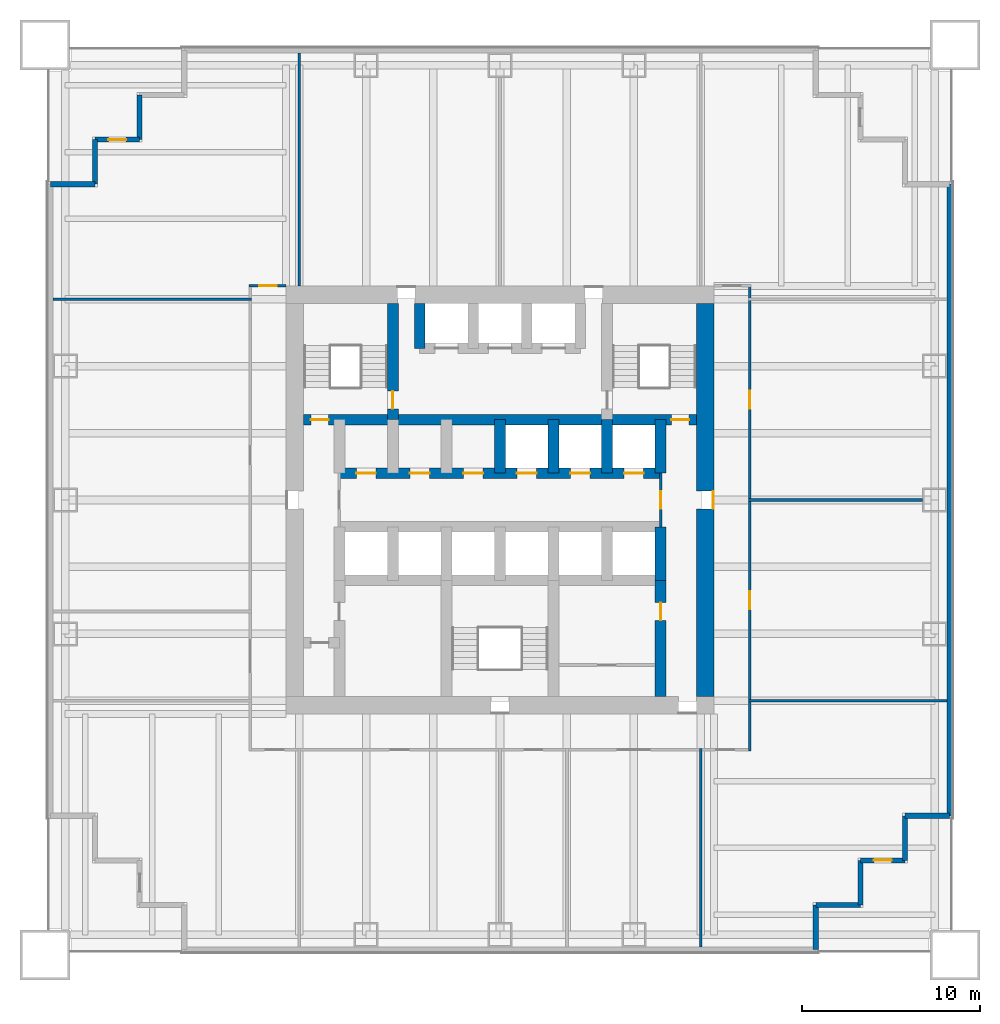
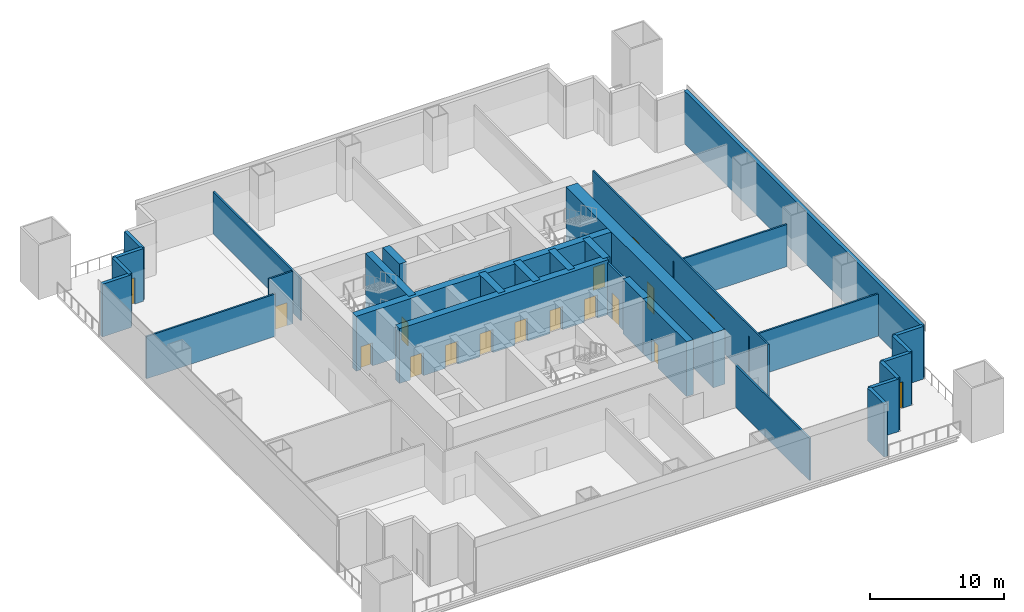
# One storey, part 3 of 6: 30 walls, 17 doors, 17 openings.
"""IFC4 building model written with IfcOpenShell, lengths in metres."""

from ifc_helpers import new_model, si_unit, direction, frame, frame_2d, origin, place, context, subcontext, project, spatial, rectangle, extrude, material, layer, layer_set, type_object, element, fill, save


model = new_model("IFC4")

# Units and contexts
model_context = context("Model", 3, precision=1e-05, world=origin(), true_north=direction((0.0, 1.0)))
body_context = subcontext(model_context, "Body", "Model", "MODEL_VIEW")
ifc_project = project(units=[si_unit("LENGTHUNIT", "METRE"), si_unit("AREAUNIT", "SQUARE_METRE"), si_unit("VOLUMEUNIT", "CUBIC_METRE"), si_unit("PLANEANGLEUNIT", "RADIAN"), si_unit("MASSUNIT", "GRAM", prefix="KILO")], contexts=[model_context])

# Site, building, storey
site_placement = place(None, origin())
site = spatial("IfcSite", under=ifc_project, at=site_placement, CompositionType="ELEMENT")
building_placement = place(site_placement, origin())
building = spatial("IfcBuilding", under=site, at=building_placement, Name="Tarangal Relay Tower", CompositionType="ELEMENT")
storey_placement = place(building_placement, frame((0.0, 0.0, 63.39990234375)))
storey = spatial("IfcBuildingStorey", under=building, at=storey_placement, Name="L12", CompositionType="ELEMENT", Elevation=63.39990234375)

# Wall, openings, doors
ifc_material_1 = material(Name="Concrete fc' 60 MPa", Category="concrete")
ifc_layer_1 = layer(ifc_material_1, 0.60009765625)
ifc_layer_set_1 = layer_set([ifc_layer_1], Name="Core inner wall 600")
wall_type_1 = type_object("IfcWallType", Name="Core inner wall 600", PredefinedType="SHEAR", material=ifc_layer_set_1)
wall_1_placement = place(storey_placement, frame((-11.0, 4.5, 0.0), z_axis=(0.0, 0.0, 1.0), x_axis=(1.0, 0.0, 0.0)))
wall_1 = element("IfcWall", 1, at=wall_1_placement, inside=storey, type_object=wall_type_1, Name="Core wall Y45 L12", PredefinedType="SHEAR", context=body_context, shape_type="SweptSolid", body=[
    extrude(rectangle(XDim=22.0, YDim=0.60009765625, at=frame_2d((11.0, 0.0))), origin(), (0.0, 0.0, 1.0), 5.0),
])
opening_1_placement = place(wall_1_placement, frame((0.39990234375, 0.0, 0.0)))
opening_1 = element("IfcOpeningElement", 2, at=opening_1_placement, cuts=wall_1, Name="Opening FD1", PredefinedType="OPENING", context=body_context, shape_type="SweptSolid", body=[
    extrude(rectangle(XDim=1.0, YDim=2.10009765625, at=frame_2d((0.5, 1.050048828125))), frame((0.0, 0.31005859375, 0.0), z_axis=(0.0, -1.0, 0.0), x_axis=(1.0, 0.0, 0.0)), (0.0, 0.0, 1.0), 0.6201171875),
])
opening_2_placement = place(wall_1_placement, frame((20.60009765625, 0.0, 0.0)))
opening_2 = element("IfcOpeningElement", 3, at=opening_2_placement, cuts=wall_1, Name="Opening FD1", PredefinedType="OPENING", context=body_context, shape_type="SweptSolid", body=[
    extrude(rectangle(XDim=1.0, YDim=2.10009765625, at=frame_2d((0.5, 1.050048828125))), frame((0.0, 0.31005859375, 0.0), z_axis=(0.0, -1.0, 0.0), x_axis=(1.0, 0.0, 0.0)), (0.0, 0.0, 1.0), 0.6201171875),
])
ifc_material_2 = material(Name="Steel door with hardwood frame", Category="steel")
door_type_1 = type_object("IfcDoorType", Name="Fire door 1000 x 2100", OperationType="SINGLE_SWING_LEFT", PredefinedType="DOOR", material=ifc_material_2)
door_1_placement = place(opening_1_placement, origin())
door_1 = element("IfcDoor", 4, at=door_1_placement, inside=storey, type_object=door_type_1, Name="Stair ST-A door from corridor L12", OperationType="SINGLE_SWING_LEFT", OverallHeight=2.10009765625, OverallWidth=1.0, PredefinedType="DOOR", context=body_context, shape_type="SweptSolid", body=[
    extrude(rectangle(XDim=1.0, YDim=2.10009765625, at=frame_2d((0.5, 1.050048828125))), frame((0.0, 0.02490234375, 0.0), z_axis=(0.0, -1.0, 0.0), x_axis=(1.0, 0.0, 0.0)), (0.0, 0.0, 1.0), 0.050048828125),
])
fill(opening_1, door_1)
door_2_placement = place(opening_2_placement, origin())
door_2 = element("IfcDoor", 5, at=door_2_placement, inside=storey, type_object=door_type_1, Name="Stair ST-B door from corridor L12", OperationType="SINGLE_SWING_LEFT", OverallHeight=2.10009765625, OverallWidth=1.0, PredefinedType="DOOR", context=body_context, shape_type="SweptSolid", body=[
    extrude(rectangle(XDim=1.0, YDim=2.10009765625, at=frame_2d((0.5, 1.050048828125))), frame((0.0, 0.02490234375, 0.0), z_axis=(0.0, -1.0, 0.0), x_axis=(1.0, 0.0, 0.0)), (0.0, 0.0, 1.0), 0.050048828125),
])
fill(opening_2, door_2)

wall_2_placement = place(storey_placement, frame((-9.0, 1.5, 0.0), z_axis=(0.0, 0.0, 1.0), x_axis=(1.0, 0.0, 0.0)))
wall_2 = element("IfcWall", 6, at=wall_2_placement, inside=storey, type_object=wall_type_1, Name="Core wall Y15 L12", PredefinedType="SHEAR", context=body_context, shape_type="SweptSolid", body=[
    extrude(rectangle(XDim=18.0, YDim=0.60009765625, at=frame_2d((9.0, 0.0))), origin(), (0.0, 0.0, 1.0), 5.0),
])
opening_3_placement = place(wall_2_placement, frame((9.949951171875, 0.0, 0.0)))
opening_3 = element("IfcOpeningElement", 7, at=opening_3_placement, cuts=wall_2, Name="Opening LD1", PredefinedType="OPENING", context=body_context, shape_type="SweptSolid", body=[
    extrude(rectangle(XDim=1.10009765625, YDim=2.10009765625, at=frame_2d((0.550048828125, 1.050048828125))), frame((0.0, 0.31005859375, 0.0), z_axis=(0.0, -1.0, 0.0), x_axis=(1.0, 0.0, 0.0)), (0.0, 0.0, 1.0), 0.6201171875),
])
opening_4_placement = place(wall_2_placement, frame((12.949951171875, 0.0, 0.0)))
opening_4 = element("IfcOpeningElement", 8, at=opening_4_placement, cuts=wall_2, Name="Opening LD1", PredefinedType="OPENING", context=body_context, shape_type="SweptSolid", body=[
    extrude(rectangle(XDim=1.10009765625, YDim=2.10009765625, at=frame_2d((0.550048828125, 1.050048828125))), frame((0.0, 0.31005859375, 0.0), z_axis=(0.0, -1.0, 0.0), x_axis=(1.0, 0.0, 0.0)), (0.0, 0.0, 1.0), 0.6201171875),
])
opening_5_placement = place(wall_2_placement, frame((15.949951171875, 0.0, 0.0)))
opening_5 = element("IfcOpeningElement", 9, at=opening_5_placement, cuts=wall_2, Name="Opening LD1", PredefinedType="OPENING", context=body_context, shape_type="SweptSolid", body=[
    extrude(rectangle(XDim=1.10009765625, YDim=2.10009765625, at=frame_2d((0.550048828125, 1.050048828125))), frame((0.0, 0.31005859375, 0.0), z_axis=(0.0, -1.0, 0.0), x_axis=(1.0, 0.0, 0.0)), (0.0, 0.0, 1.0), 0.6201171875),
])
opening_6_placement = place(wall_2_placement, frame((0.949951171875, 0.0, 0.0)))
opening_6 = element("IfcOpeningElement", 10, at=opening_6_placement, cuts=wall_2, Name="Opening D4", PredefinedType="OPENING", context=body_context, shape_type="SweptSolid", body=[
    extrude(rectangle(XDim=1.10009765625, YDim=2.10009765625, at=frame_2d((0.550048828125, 1.050048828125))), frame((0.0, 0.31005859375, 0.0), z_axis=(0.0, -1.0, 0.0), x_axis=(1.0, 0.0, 0.0)), (0.0, 0.0, 1.0), 0.6201171875),
])
opening_7_placement = place(wall_2_placement, frame((3.949951171875, 0.0, 0.0)))
opening_7 = element("IfcOpeningElement", 11, at=opening_7_placement, cuts=wall_2, Name="Opening D4", PredefinedType="OPENING", context=body_context, shape_type="SweptSolid", body=[
    extrude(rectangle(XDim=1.10009765625, YDim=2.10009765625, at=frame_2d((0.550048828125, 1.050048828125))), frame((0.0, 0.31005859375, 0.0), z_axis=(0.0, -1.0, 0.0), x_axis=(1.0, 0.0, 0.0)), (0.0, 0.0, 1.0), 0.6201171875),
])
opening_8_placement = place(wall_2_placement, frame((6.949951171875, 0.0, 0.0)))
opening_8 = element("IfcOpeningElement", 12, at=opening_8_placement, cuts=wall_2, Name="Opening D4", PredefinedType="OPENING", context=body_context, shape_type="SweptSolid", body=[
    extrude(rectangle(XDim=1.10009765625, YDim=2.10009765625, at=frame_2d((0.550048828125, 1.050048828125))), frame((0.0, 0.31005859375, 0.0), z_axis=(0.0, -1.0, 0.0), x_axis=(1.0, 0.0, 0.0)), (0.0, 0.0, 1.0), 0.6201171875),
])
door_type_2 = type_object("IfcDoorType", Name="Core room door 1100 x 2100", OperationType="SINGLE_SWING_RIGHT", PredefinedType="DOOR", material=ifc_material_2)
door_3_placement = place(opening_6_placement, origin())
door_3 = element("IfcDoor", 13, at=door_3_placement, inside=storey, type_object=door_type_2, Name="Door D4 to back-of-house plant room L12-D1", OperationType="SINGLE_SWING_RIGHT", OverallHeight=2.10009765625, OverallWidth=1.10009765625, PredefinedType="DOOR", context=body_context, shape_type="SweptSolid", body=[
    extrude(rectangle(XDim=1.10009765625, YDim=2.10009765625, at=frame_2d((0.550048828125, 1.050048828125))), frame((0.0, 0.02490234375, 0.0), z_axis=(0.0, -1.0, 0.0), x_axis=(1.0, 0.0, 0.0)), (0.0, 0.0, 1.0), 0.050048828125),
])
fill(opening_6, door_3)
door_4_placement = place(opening_7_placement, origin())
door_4 = element("IfcDoor", 14, at=door_4_placement, inside=storey, type_object=door_type_2, Name="Door D4 to staff pantry L12-D2", OperationType="SINGLE_SWING_RIGHT", OverallHeight=2.10009765625, OverallWidth=1.10009765625, PredefinedType="DOOR", context=body_context, shape_type="SweptSolid", body=[
    extrude(rectangle(XDim=1.10009765625, YDim=2.10009765625, at=frame_2d((0.550048828125, 1.050048828125))), frame((0.0, 0.02490234375, 0.0), z_axis=(0.0, -1.0, 0.0), x_axis=(1.0, 0.0, 0.0)), (0.0, 0.0, 1.0), 0.050048828125),
])
fill(opening_7, door_4)
door_5_placement = place(opening_8_placement, origin())
door_5 = element("IfcDoor", 15, at=door_5_placement, inside=storey, type_object=door_type_2, Name="Door D4 to staff wc L12-D3", OperationType="SINGLE_SWING_RIGHT", OverallHeight=2.10009765625, OverallWidth=1.10009765625, PredefinedType="DOOR", context=body_context, shape_type="SweptSolid", body=[
    extrude(rectangle(XDim=1.10009765625, YDim=2.10009765625, at=frame_2d((0.550048828125, 1.050048828125))), frame((0.0, 0.02490234375, 0.0), z_axis=(0.0, -1.0, 0.0), x_axis=(1.0, 0.0, 0.0)), (0.0, 0.0, 1.0), 0.050048828125),
])
fill(opening_8, door_5)
door_type_3 = type_object("IfcDoorType", Name="Lift landing door 1100 x 2100", OperationType="SLIDING_TO_LEFT", PredefinedType="DOOR", material=ifc_material_2)
door_6_placement = place(opening_3_placement, origin())
door_6 = element("IfcDoor", 16, at=door_6_placement, inside=storey, type_object=door_type_3, Name="Lift T1 landing door L12", OperationType="SLIDING_TO_LEFT", OverallHeight=2.10009765625, OverallWidth=1.10009765625, PredefinedType="DOOR", context=body_context, shape_type="SweptSolid", body=[
    extrude(rectangle(XDim=1.10009765625, YDim=2.10009765625, at=frame_2d((0.550048828125, 1.050048828125))), frame((0.0, 0.02490234375, 0.0), z_axis=(0.0, -1.0, 0.0), x_axis=(1.0, 0.0, 0.0)), (0.0, 0.0, 1.0), 0.050048828125),
])
fill(opening_3, door_6)
door_7_placement = place(opening_4_placement, origin())
door_7 = element("IfcDoor", 17, at=door_7_placement, inside=storey, type_object=door_type_3, Name="Lift T2 landing door L12", OperationType="SLIDING_TO_LEFT", OverallHeight=2.10009765625, OverallWidth=1.10009765625, PredefinedType="DOOR", context=body_context, shape_type="SweptSolid", body=[
    extrude(rectangle(XDim=1.10009765625, YDim=2.10009765625, at=frame_2d((0.550048828125, 1.050048828125))), frame((0.0, 0.02490234375, 0.0), z_axis=(0.0, -1.0, 0.0), x_axis=(1.0, 0.0, 0.0)), (0.0, 0.0, 1.0), 0.050048828125),
])
fill(opening_4, door_7)
door_8_placement = place(opening_5_placement, origin())
door_8 = element("IfcDoor", 18, at=door_8_placement, inside=storey, type_object=door_type_3, Name="Lift T3 landing door L12", OperationType="SLIDING_TO_LEFT", OverallHeight=2.10009765625, OverallWidth=1.10009765625, PredefinedType="DOOR", context=body_context, shape_type="SweptSolid", body=[
    extrude(rectangle(XDim=1.10009765625, YDim=2.10009765625, at=frame_2d((0.550048828125, 1.050048828125))), frame((0.0, 0.02490234375, 0.0), z_axis=(0.0, -1.0, 0.0), x_axis=(1.0, 0.0, 0.0)), (0.0, 0.0, 1.0), 0.050048828125),
])
fill(opening_5, door_8)

# Walls
for number, where, z_axis, x_axis, name in (
    (19, (9.0, 1.5, 0.0), (0.0, 0.0, 1.0), (0.0, 1.0, 0.0), "Core wall X9N L12"),
    (20, (9.0, -4.5, 0.0), (0.0, 0.0, 1.0), (0.0, 1.0, 0.0), "Core wall X9S L12"),
    (21, (0.0, 1.5, 0.0), (0.0, 0.0, 1.0), (0.0, 1.0, 0.0), "Core wall X0N L12"),
    (22, (3.0, 1.5, 0.0), (0.0, 0.0, 1.0), (0.0, 1.0, 0.0), "Core wall X3N L12"),
    (23, (6.0, 1.5, 0.0), (0.0, 0.0, 1.0), (0.0, 1.0, 0.0), "Core wall X6N L12"),
):
    element("IfcWall", number, at=place(storey_placement, frame(where, z_axis=z_axis, x_axis=x_axis)), inside=storey, type_object=wall_type_1, Name=name, PredefinedType="SHEAR", context=body_context, shape_type="SweptSolid", body=[
        extrude(rectangle(XDim=3.0, YDim=0.60009765625, at=frame_2d((1.5, 0.0))), origin(), (0.0, 0.0, 1.0), 5.0),
    ])

# Wall, opening, door
wall_3_placement = place(storey_placement, frame((-6.0, 4.5, 0.0), z_axis=(0.0, 0.0, 1.0), x_axis=(0.0, 1.0, 0.0)))
wall_3 = element("IfcWall", 24, at=wall_3_placement, inside=storey, type_object=wall_type_1, Name="Core wall XM6 L12", PredefinedType="SHEAR", context=body_context, shape_type="SweptSolid", body=[
    extrude(rectangle(XDim=6.5, YDim=0.60009765625, at=frame_2d((3.25, 0.0))), origin(), (0.0, 0.0, 1.0), 5.0),
])
opening_9_placement = place(wall_3_placement, frame((0.60009765625, 0.0, 0.0)))
opening_9 = element("IfcOpeningElement", 25, at=opening_9_placement, cuts=wall_3, Name="Opening FD1", PredefinedType="OPENING", context=body_context, shape_type="SweptSolid", body=[
    extrude(rectangle(XDim=1.0, YDim=2.10009765625, at=frame_2d((0.5, 1.050048828125))), frame((0.0, 0.31005859375, 0.0), z_axis=(0.0, -1.0, 0.0), x_axis=(1.0, 0.0, 0.0)), (0.0, 0.0, 1.0), 0.6201171875),
])
door_9_placement = place(opening_9_placement, origin())
door_9 = element("IfcDoor", 26, at=door_9_placement, inside=storey, type_object=door_type_1, Name="Stair ST-A door from fire-fighting lobby L12", OperationType="SINGLE_SWING_LEFT", OverallHeight=2.10009765625, OverallWidth=1.0, PredefinedType="DOOR", context=body_context, shape_type="SweptSolid", body=[
    extrude(rectangle(XDim=1.0, YDim=2.10009765625, at=frame_2d((0.5, 1.050048828125))), frame((0.0, 0.02490234375, 0.0), z_axis=(0.0, -1.0, 0.0), x_axis=(1.0, 0.0, 0.0)), (0.0, 0.0, 1.0), 0.050048828125),
])
fill(opening_9, door_9)

# Wall
wall_4_placement = place(storey_placement, frame((-4.5, 8.5, 0.0), z_axis=(0.0, 0.0, 1.0), x_axis=(0.0, 1.0, 0.0)))
element("IfcWall", 27, at=wall_4_placement, inside=storey, type_object=wall_type_1, Name="Core wall XM45 L12", PredefinedType="SHEAR", context=body_context, shape_type="SweptSolid", body=[
    extrude(rectangle(XDim=2.5, YDim=0.60009765625, at=frame_2d((1.25, 0.0))), origin(), (0.0, 0.0, 1.0), 5.0),
])

# Wall, opening, door
wall_5_placement = place(storey_placement, frame((9.0, -11.0, 0.0), z_axis=(0.0, 0.0, 1.0), x_axis=(0.0, 1.0, 0.0)))
wall_5 = element("IfcWall", 28, at=wall_5_placement, inside=storey, type_object=wall_type_1, Name="Core wall X9W L12", PredefinedType="SHEAR", context=body_context, shape_type="SweptSolid", body=[
    extrude(rectangle(XDim=6.5, YDim=0.60009765625, at=frame_2d((3.25, 0.0))), origin(), (0.0, 0.0, 1.0), 5.0),
])
opening_10_placement = place(wall_5_placement, frame((4.25, 0.0, 0.0)))
opening_10 = element("IfcOpeningElement", 29, at=opening_10_placement, cuts=wall_5, Name="Opening D1", PredefinedType="OPENING", context=body_context, shape_type="SweptSolid", body=[
    extrude(rectangle(XDim=1.0, YDim=2.10009765625, at=frame_2d((0.5, 1.050048828125))), frame((0.0, 0.31005859375, 0.0), z_axis=(0.0, -1.0, 0.0), x_axis=(1.0, 0.0, 0.0)), (0.0, 0.0, 1.0), 0.6201171875),
])
ifc_material_3 = material(Name="Hardwood door", Category="wood")
door_type_4 = type_object("IfcDoorType", Name="WC door 1000 x 2100", OperationType="SINGLE_SWING_LEFT", PredefinedType="DOOR", material=ifc_material_3)
door_10_placement = place(opening_10_placement, origin())
door_10 = element("IfcDoor", 30, at=door_10_placement, inside=storey, type_object=door_type_4, Name="Female WC door L12", OperationType="SINGLE_SWING_LEFT", OverallHeight=2.10009765625, OverallWidth=1.0, PredefinedType="DOOR", context=body_context, shape_type="SweptSolid", body=[
    extrude(rectangle(XDim=1.0, YDim=2.10009765625, at=frame_2d((0.5, 1.050048828125))), frame((0.0, 0.02490234375, 0.0), z_axis=(0.0, -1.0, 0.0), x_axis=(1.0, 0.0, 0.0)), (0.0, 0.0, 1.0), 0.050048828125),
])
fill(opening_10, door_10)

ifc_layer_2 = layer(ifc_material_1, 1.0)
ifc_layer_set_2 = layer_set([ifc_layer_2], Name="Core wall 1000")
wall_type_2 = type_object("IfcWallType", Name="Core wall 1000", PredefinedType="SHEAR", material=ifc_layer_set_2)
wall_6_placement = place(storey_placement, frame((11.5, 11.0, 0.0), z_axis=(0.0, 0.0, 1.0), x_axis=(0.0, -1.0, 0.0)))
wall_6 = element("IfcWall", 31, at=wall_6_placement, inside=storey, type_object=wall_type_2, Name="Core wall E L12", PredefinedType="SHEAR", context=body_context, shape_type="SweptSolid", body=[
    extrude(rectangle(XDim=22.0, YDim=1.0, at=frame_2d((11.0, 0.0))), origin(), (0.0, 0.0, 1.0), 5.0),
])
opening_11_placement = place(wall_6_placement, frame((10.5, 0.0, 0.0)))
opening_11 = element("IfcOpeningElement", 32, at=opening_11_placement, cuts=wall_6, Name="Opening FD3", PredefinedType="OPENING", context=body_context, shape_type="SweptSolid", body=[
    extrude(rectangle(XDim=1.0, YDim=2.39990234375, at=frame_2d((0.5, 1.199951171875))), frame((0.0, 0.510009765625, 0.0), z_axis=(0.0, -1.0, 0.0), x_axis=(1.0, 0.0, 0.0)), (0.0, 0.0, 1.0), 1.02001953125),
])
door_type_5 = type_object("IfcDoorType", Name="Fire door 1000 x 2400 core entry", OperationType="SINGLE_SWING_RIGHT", PredefinedType="DOOR", material=ifc_material_2)
door_11_placement = place(opening_11_placement, origin())
door_11 = element("IfcDoor", 33, at=door_11_placement, inside=storey, type_object=door_type_5, Name="Core entry door east L12", OperationType="SINGLE_SWING_RIGHT", OverallHeight=2.39990234375, OverallWidth=1.0, PredefinedType="DOOR", context=body_context, shape_type="SweptSolid", body=[
    extrude(rectangle(XDim=1.0, YDim=2.39990234375, at=frame_2d((0.5, 1.199951171875))), frame((0.0, 0.48486328125, 0.0), z_axis=(0.0, -1.0, 0.0), x_axis=(1.0, 0.0, 0.0)), (0.0, 0.0, 1.0), 0.050048828125),
])
fill(opening_11, door_11)

# Walls
ifc_material_4 = material(Name="Insulated precast concrete fc' 40 MPa", Category="concrete")
ifc_layer_3 = layer(ifc_material_4, 0.300048828125)
ifc_layer_set_3 = layer_set([ifc_layer_3], Name="Insulated precast concrete fc' 40 MPa")
wall_type_3 = type_object("IfcWallType", Name="Facade wall precast 300", PredefinedType="SOLIDWALL", material=ifc_layer_set_3)
wall_7_placement = place(storey_placement, frame((25.199951171875, 17.699951171875, 0.0), z_axis=(0.0, 0.0, 1.0), x_axis=(0.0, -1.0, 0.0)))
element("IfcWall", 34, at=wall_7_placement, inside=storey, type_object=wall_type_3, Name="Facade wall E facade L12", PredefinedType="SOLIDWALL", context=body_context, shape_type="SweptSolid", body=[
    extrude(rectangle(XDim=35.39990234375, YDim=0.300048828125, at=frame_2d((17.699951171875, 0.0))), origin(), (0.0, 0.0, 1.0), 4.800048828125),
])
for number, where, z_axis, x_axis, name in (
    (35, (25.199951171875, -17.699951171875, 0.0), (0.0, 0.0, 1.0), (-1.0, 0.0, 0.0), "Facade wall E facade L12"),
    (36, (22.699951171875, -17.699951171875, 0.0), (0.0, 0.0, 1.0), (0.0, -1.0, 0.0), "Facade wall E facade L12"),
):
    element("IfcWall", number, at=place(storey_placement, frame(where, z_axis=z_axis, x_axis=x_axis)), inside=storey, type_object=wall_type_3, Name=name, PredefinedType="SOLIDWALL", context=body_context, shape_type="SweptSolid", body=[
        extrude(rectangle(XDim=2.5, YDim=0.300048828125, at=frame_2d((1.25, 0.0))), origin(), (0.0, 0.0, 1.0), 4.800048828125),
    ])

# Wall, opening, door
wall_8_placement = place(storey_placement, frame((22.699951171875, -20.199951171875, 0.0), z_axis=(0.0, 0.0, 1.0), x_axis=(-1.0, 0.0, 0.0)))
wall_8 = element("IfcWall", 37, at=wall_8_placement, inside=storey, type_object=wall_type_3, Name="Facade wall E facade L12", PredefinedType="SOLIDWALL", context=body_context, shape_type="SweptSolid", body=[
    extrude(rectangle(XDim=2.5, YDim=0.300048828125, at=frame_2d((1.25, 0.0))), origin(), (0.0, 0.0, 1.0), 4.800048828125),
])
opening_12_placement = place(wall_8_placement, frame((0.75, 0.0, 0.0)))
opening_12 = element("IfcOpeningElement", 38, at=opening_12_placement, cuts=wall_8, Name="Opening TD1", PredefinedType="OPENING", context=body_context, shape_type="SweptSolid", body=[
    extrude(rectangle(XDim=1.0, YDim=2.39990234375, at=frame_2d((0.5, 1.199951171875))), frame((0.0, 0.159912109375, 0.0), z_axis=(0.0, -1.0, 0.0), x_axis=(1.0, 0.0, 0.0)), (0.0, 0.0, 1.0), 0.320068359375),
])
ifc_material_5 = material(Name="Aluminium glazed door", Category="aluminium")
door_type_6 = type_object("IfcDoorType", Name="Terrace door 1000 x 2400", OperationType="SINGLE_SWING_RIGHT", PredefinedType="DOOR", material=ifc_material_5)
door_12_placement = place(opening_12_placement, origin())
door_12 = element("IfcDoor", 39, at=door_12_placement, inside=storey, type_object=door_type_6, Name="Terrace door TD1 SE L12", OperationType="SINGLE_SWING_RIGHT", OverallHeight=2.39990234375, OverallWidth=1.0, PredefinedType="DOOR", context=body_context, shape_type="SweptSolid", body=[
    extrude(rectangle(XDim=1.0, YDim=2.39990234375, at=frame_2d((0.5, 1.199951171875))), frame((0.0, 0.02490234375, 0.0), z_axis=(0.0, -1.0, 0.0), x_axis=(1.0, 0.0, 0.0)), (0.0, 0.0, 1.0), 0.050048828125),
])
fill(opening_12, door_12)

# Walls
for number, where, z_axis, x_axis, name in (
    (40, (20.199951171875, -20.199951171875, 0.0), (0.0, 0.0, 1.0), (0.0, -1.0, 0.0), "Facade wall E facade L12"),
    (41, (20.199951171875, -22.699951171875, 0.0), (0.0, 0.0, 1.0), (-1.0, 0.0, 0.0), "Facade wall E facade L12"),
    (42, (17.699951171875, -22.699951171875, 0.0), (0.0, 0.0, 1.0), (0.0, -1.0, 0.0), "Facade wall E facade L12"),
    (43, (-25.199951171875, 17.699951171875, 0.0), (0.0, 0.0, 1.0), (1.0, 0.0, 0.0), "Facade wall W facade L12"),
    (44, (-22.699951171875, 17.699951171875, 0.0), (0.0, 0.0, 1.0), (0.0, 1.0, 0.0), "Facade wall W facade L12"),
):
    element("IfcWall", number, at=place(storey_placement, frame(where, z_axis=z_axis, x_axis=x_axis)), inside=storey, type_object=wall_type_3, Name=name, PredefinedType="SOLIDWALL", context=body_context, shape_type="SweptSolid", body=[
        extrude(rectangle(XDim=2.5, YDim=0.300048828125, at=frame_2d((1.25, 0.0))), origin(), (0.0, 0.0, 1.0), 4.800048828125),
    ])

# Wall, opening, door
wall_9_placement = place(storey_placement, frame((-22.699951171875, 20.199951171875, 0.0), z_axis=(0.0, 0.0, 1.0), x_axis=(1.0, 0.0, 0.0)))
wall_9 = element("IfcWall", 45, at=wall_9_placement, inside=storey, type_object=wall_type_3, Name="Facade wall W facade L12", PredefinedType="SOLIDWALL", context=body_context, shape_type="SweptSolid", body=[
    extrude(rectangle(XDim=2.5, YDim=0.300048828125, at=frame_2d((1.25, 0.0))), origin(), (0.0, 0.0, 1.0), 4.800048828125),
])
opening_13_placement = place(wall_9_placement, frame((0.75, 0.0, 0.0)))
opening_13 = element("IfcOpeningElement", 46, at=opening_13_placement, cuts=wall_9, Name="Opening TD1", PredefinedType="OPENING", context=body_context, shape_type="SweptSolid", body=[
    extrude(rectangle(XDim=1.0, YDim=2.39990234375, at=frame_2d((0.5, 1.199951171875))), frame((0.0, 0.159912109375, 0.0), z_axis=(0.0, -1.0, 0.0), x_axis=(1.0, 0.0, 0.0)), (0.0, 0.0, 1.0), 0.320068359375),
])
door_13_placement = place(opening_13_placement, origin())
door_13 = element("IfcDoor", 47, at=door_13_placement, inside=storey, type_object=door_type_6, Name="Terrace door TD1 NW L12", OperationType="SINGLE_SWING_RIGHT", OverallHeight=2.39990234375, OverallWidth=1.0, PredefinedType="DOOR", context=body_context, shape_type="SweptSolid", body=[
    extrude(rectangle(XDim=1.0, YDim=2.39990234375, at=frame_2d((0.5, 1.199951171875))), frame((0.0, 0.02490234375, 0.0), z_axis=(0.0, -1.0, 0.0), x_axis=(1.0, 0.0, 0.0)), (0.0, 0.0, 1.0), 0.050048828125),
])
fill(opening_13, door_13)

# Walls
wall_10_placement = place(storey_placement, frame((-20.199951171875, 20.199951171875, 0.0), z_axis=(0.0, 0.0, 1.0), x_axis=(0.0, 1.0, 0.0)))
element("IfcWall", 48, at=wall_10_placement, inside=storey, type_object=wall_type_3, Name="Facade wall W facade L12", PredefinedType="SOLIDWALL", context=body_context, shape_type="SweptSolid", body=[
    extrude(rectangle(XDim=2.5, YDim=0.300048828125, at=frame_2d((1.25, 0.0))), origin(), (0.0, 0.0, 1.0), 4.800048828125),
])
ifc_material_6 = material(Name="Gypsum board on steel studs", Category="steel")
ifc_layer_4 = layer(ifc_material_6, 0.14990234375)
ifc_layer_set_4 = layer_set([ifc_layer_4], Name="Partition 150")
wall_type_4 = type_object("IfcWallType", Name="Partition 150", PredefinedType="PARTITIONING", material=ifc_layer_set_4)
wall_11_placement = place(storey_placement, frame((13.925048828125, -11.25, 0.0), z_axis=(0.0, 0.0, 1.0), x_axis=(1.0, 0.0, 0.0)))
element("IfcWall", 49, at=wall_11_placement, inside=storey, type_object=wall_type_4, Name="Partition PT1 L12", PredefinedType="PARTITIONING", context=body_context, shape_type="SweptSolid", body=[
    extrude(rectangle(XDim=11.125, YDim=0.14990234375, at=frame_2d((5.5625, 0.0))), origin(), (0.0, 0.0, 1.0), 3.852783203125),
])
wall_12_placement = place(storey_placement, frame((13.925048828125, 0.0, 0.0), z_axis=(0.0, 0.0, 1.0), x_axis=(1.0, 0.0, 0.0)))
element("IfcWall", 50, at=wall_12_placement, inside=storey, type_object=wall_type_4, Name="Partition PT1 L12", PredefinedType="PARTITIONING", context=body_context, shape_type="SweptSolid", body=[
    extrude(rectangle(XDim=9.764892578125, YDim=0.14990234375, at=frame_2d((4.88232421875, 0.0))), origin(), (0.0, 0.0, 1.0), 3.852783203125),
])
wall_13_placement = place(storey_placement, frame((-25.050048828125, 11.25, 0.0), z_axis=(0.0, 0.0, 1.0), x_axis=(1.0, 0.0, 0.0)))
element("IfcWall", 51, at=wall_13_placement, inside=storey, type_object=wall_type_4, Name="Partition PT1 L12", PredefinedType="PARTITIONING", context=body_context, shape_type="SweptSolid", body=[
    extrude(rectangle(XDim=11.125, YDim=0.14990234375, at=frame_2d((5.5625, 0.0))), origin(), (0.0, 0.0, 1.0), 3.852783203125),
])

# Wall, opening, door
wall_14_placement = place(storey_placement, frame((-14.074951171875, 12.0, 0.0), z_axis=(0.0, 0.0, 1.0), x_axis=(1.0, 0.0, 0.0)))
wall_14 = element("IfcWall", 52, at=wall_14_placement, inside=storey, type_object=wall_type_4, Name="Partition PT1 L12", PredefinedType="PARTITIONING", context=body_context, shape_type="SweptSolid", body=[
    extrude(rectangle(XDim=2.074951171875, YDim=0.14990234375, at=frame_2d((1.03759765625, 0.0))), origin(), (0.0, 0.0, 1.0), 4.800048828125),
])
opening_14_placement = place(wall_14_placement, frame((0.574951171875, 0.0, 0.0)))
opening_14 = element("IfcOpeningElement", 53, at=opening_14_placement, cuts=wall_14, Name="Opening D2", PredefinedType="OPENING", context=body_context, shape_type="SweptSolid", body=[
    extrude(rectangle(XDim=1.0, YDim=2.10009765625, at=frame_2d((0.5, 1.050048828125))), frame((0.0, 0.0849609375, 0.0), z_axis=(0.0, -1.0, 0.0), x_axis=(1.0, 0.0, 0.0)), (0.0, 0.0, 1.0), 0.169921875),
])
door_type_7 = type_object("IfcDoorType", Name="Door 1000 x 2100", OperationType="SINGLE_SWING_LEFT", PredefinedType="DOOR", material=ifc_material_3)
door_14_placement = place(opening_14_placement, origin())
door_14 = element("IfcDoor", 54, at=door_14_placement, inside=storey, type_object=door_type_7, Name="Door D2 to rack staging room L12-14", OperationType="SINGLE_SWING_LEFT", OverallHeight=2.10009765625, OverallWidth=1.0, PredefinedType="DOOR", context=body_context, shape_type="SweptSolid", body=[
    extrude(rectangle(XDim=1.0, YDim=2.10009765625, at=frame_2d((0.5, 1.050048828125))), frame((0.0, 0.02490234375, 0.0), z_axis=(0.0, -1.0, 0.0), x_axis=(1.0, 0.0, 0.0)), (0.0, 0.0, 1.0), 0.050048828125),
])
fill(opening_14, door_14)

# Walls
wall_15_placement = place(storey_placement, frame((-11.25, 12.0, 0.0), z_axis=(0.0, 0.0, 1.0), x_axis=(0.0, 1.0, 0.0)))
element("IfcWall", 55, at=wall_15_placement, inside=storey, type_object=wall_type_4, Name="Partition PT1 L12", PredefinedType="PARTITIONING", context=body_context, shape_type="SweptSolid", body=[
    extrude(rectangle(XDim=13.050048828125, YDim=0.14990234375, at=frame_2d((6.52490234375, 0.0))), origin(), (0.0, 0.0, 1.0), 3.852783203125),
])
wall_16_placement = place(storey_placement, frame((11.25, -25.050048828125, 0.0), z_axis=(0.0, 0.0, 1.0), x_axis=(0.0, 1.0, 0.0)))
element("IfcWall", 56, at=wall_16_placement, inside=storey, type_object=wall_type_4, Name="Partition PT1 L12", PredefinedType="PARTITIONING", context=body_context, shape_type="SweptSolid", body=[
    extrude(rectangle(XDim=11.125, YDim=0.14990234375, at=frame_2d((5.5625, 0.0))), origin(), (0.0, 0.0, 1.0), 3.852783203125),
])

# Wall, openings, doors
wall_17_placement = place(storey_placement, frame((14.0, -14.074951171875, 0.0), z_axis=(0.0, 0.0, 1.0), x_axis=(0.0, 1.0, 0.0)))
wall_17 = element("IfcWall", 57, at=wall_17_placement, inside=storey, type_object=wall_type_4, Name="Partition PT1 L12", PredefinedType="PARTITIONING", context=body_context, shape_type="SweptSolid", body=[
    extrude(rectangle(XDim=26.14990234375, YDim=0.14990234375, at=frame_2d((13.074951171875, 0.0))), origin(), (0.0, 0.0, 1.0), 4.800048828125),
])
opening_15_placement = place(wall_17_placement, frame((19.199951171875, 0.0, 0.0)))
opening_15 = element("IfcOpeningElement", 58, at=opening_15_placement, cuts=wall_17, Name="Opening SD1", PredefinedType="OPENING", context=body_context, shape_type="SweptSolid", body=[
    extrude(rectangle(XDim=1.0, YDim=2.39990234375, at=frame_2d((0.5, 1.199951171875))), frame((0.0, 0.0849609375, 0.0), z_axis=(0.0, -1.0, 0.0), x_axis=(1.0, 0.0, 0.0)), (0.0, 0.0, 1.0), 0.169921875),
])
opening_16_placement = place(wall_17_placement, frame((7.949951171875, 0.0, 0.0)))
opening_16 = element("IfcOpeningElement", 59, at=opening_16_placement, cuts=wall_17, Name="Opening SD1", PredefinedType="OPENING", context=body_context, shape_type="SweptSolid", body=[
    extrude(rectangle(XDim=1.0, YDim=2.39990234375, at=frame_2d((0.5, 1.199951171875))), frame((0.0, 0.0849609375, 0.0), z_axis=(0.0, -1.0, 0.0), x_axis=(1.0, 0.0, 0.0)), (0.0, 0.0, 1.0), 0.169921875),
])
door_type_8 = type_object("IfcDoorType", Name="Suite entrance door 1000 x 2400", OperationType="SINGLE_SWING_RIGHT", PredefinedType="DOOR", material=ifc_material_2)
door_15_placement = place(opening_15_placement, origin())
door_15 = element("IfcDoor", 60, at=door_15_placement, inside=storey, type_object=door_type_8, Name="Door SD1 to colocation suite L12-04", OperationType="SINGLE_SWING_RIGHT", OverallHeight=2.39990234375, OverallWidth=1.0, PredefinedType="DOOR", context=body_context, shape_type="SweptSolid", body=[
    extrude(rectangle(XDim=1.0, YDim=2.39990234375, at=frame_2d((0.5, 1.199951171875))), frame((0.0, 0.02490234375, 0.0), z_axis=(0.0, -1.0, 0.0), x_axis=(1.0, 0.0, 0.0)), (0.0, 0.0, 1.0), 0.050048828125),
])
fill(opening_15, door_15)
door_16_placement = place(opening_16_placement, origin())
door_16 = element("IfcDoor", 61, at=door_16_placement, inside=storey, type_object=door_type_8, Name="Door SD1 to colocation suite L12-05", OperationType="SINGLE_SWING_RIGHT", OverallHeight=2.39990234375, OverallWidth=1.0, PredefinedType="DOOR", context=body_context, shape_type="SweptSolid", body=[
    extrude(rectangle(XDim=1.0, YDim=2.39990234375, at=frame_2d((0.5, 1.199951171875))), frame((0.0, 0.02490234375, 0.0), z_axis=(0.0, -1.0, 0.0), x_axis=(1.0, 0.0, 0.0)), (0.0, 0.0, 1.0), 0.050048828125),
])
fill(opening_16, door_16)

# Wall, opening, door
wall_18_placement = place(storey_placement, frame((9.0, -1.5, 0.0), z_axis=(0.0, 0.0, 1.0), x_axis=(0.0, 1.0, 0.0)))
wall_18 = element("IfcWall", 62, at=wall_18_placement, inside=storey, type_object=wall_type_4, Name="Partition PT1 L12", PredefinedType="PARTITIONING", context=body_context, shape_type="SweptSolid", body=[
    extrude(rectangle(XDim=3.0, YDim=0.14990234375, at=frame_2d((1.5, 0.0))), origin(), (0.0, 0.0, 1.0), 4.75),
])
opening_17_placement = place(wall_18_placement, frame((1.0, 0.0, 0.0)))
opening_17 = element("IfcOpeningElement", 63, at=opening_17_placement, cuts=wall_18, Name="Opening FD3", PredefinedType="OPENING", context=body_context, shape_type="SweptSolid", body=[
    extrude(rectangle(XDim=1.0, YDim=2.39990234375, at=frame_2d((0.5, 1.199951171875))), frame((0.0, 0.0849609375, 0.0), z_axis=(0.0, -1.0, 0.0), x_axis=(1.0, 0.0, 0.0)), (0.0, 0.0, 1.0), 0.169921875),
])
door_17_placement = place(opening_17_placement, origin())
door_17 = element("IfcDoor", 64, at=door_17_placement, inside=storey, type_object=door_type_5, Name="Lift lobby door FD3 to the east corridor L12", OperationType="SINGLE_SWING_RIGHT", OverallHeight=2.39990234375, OverallWidth=1.0, PredefinedType="DOOR", context=body_context, shape_type="SweptSolid", body=[
    extrude(rectangle(XDim=1.0, YDim=2.39990234375, at=frame_2d((0.5, 1.199951171875))), frame((0.0, 0.02490234375, 0.0), z_axis=(0.0, -1.0, 0.0), x_axis=(1.0, 0.0, 0.0)), (0.0, 0.0, 1.0), 0.050048828125),
])
fill(opening_17, door_17)

save(model, "model.ifc")
